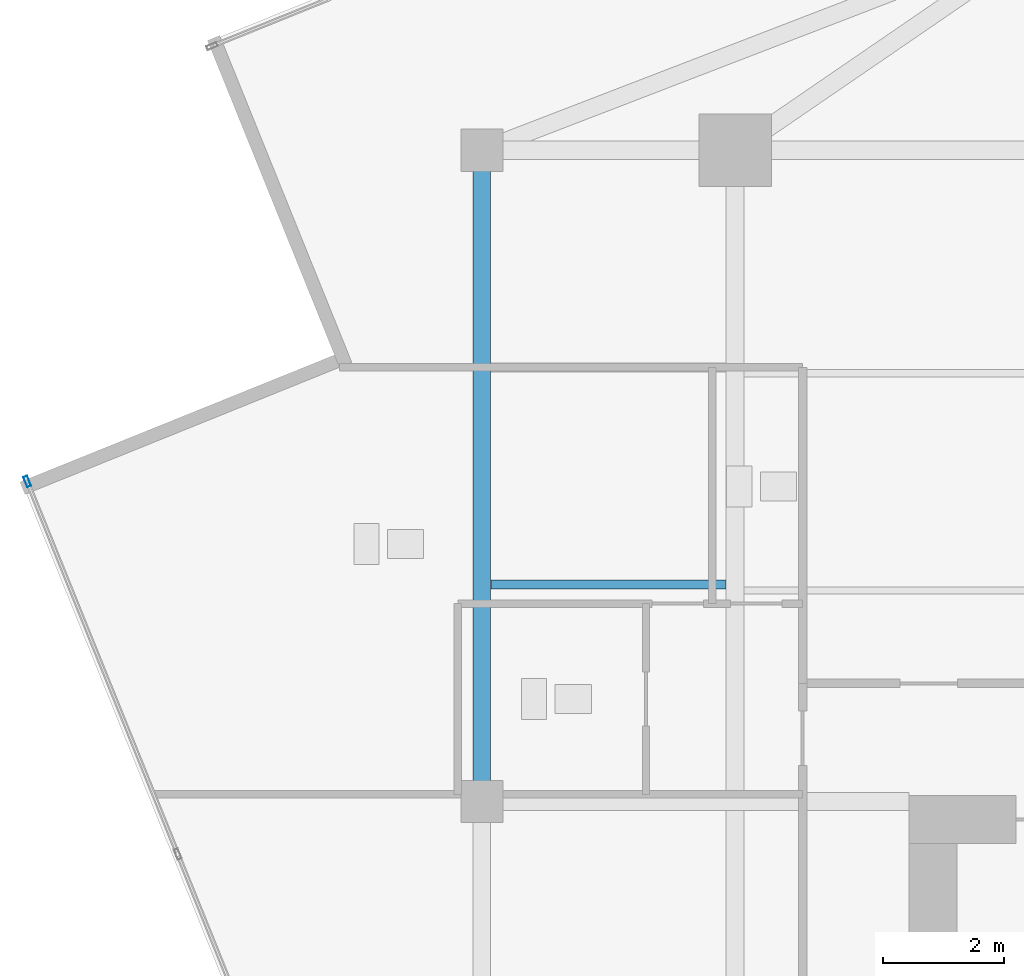
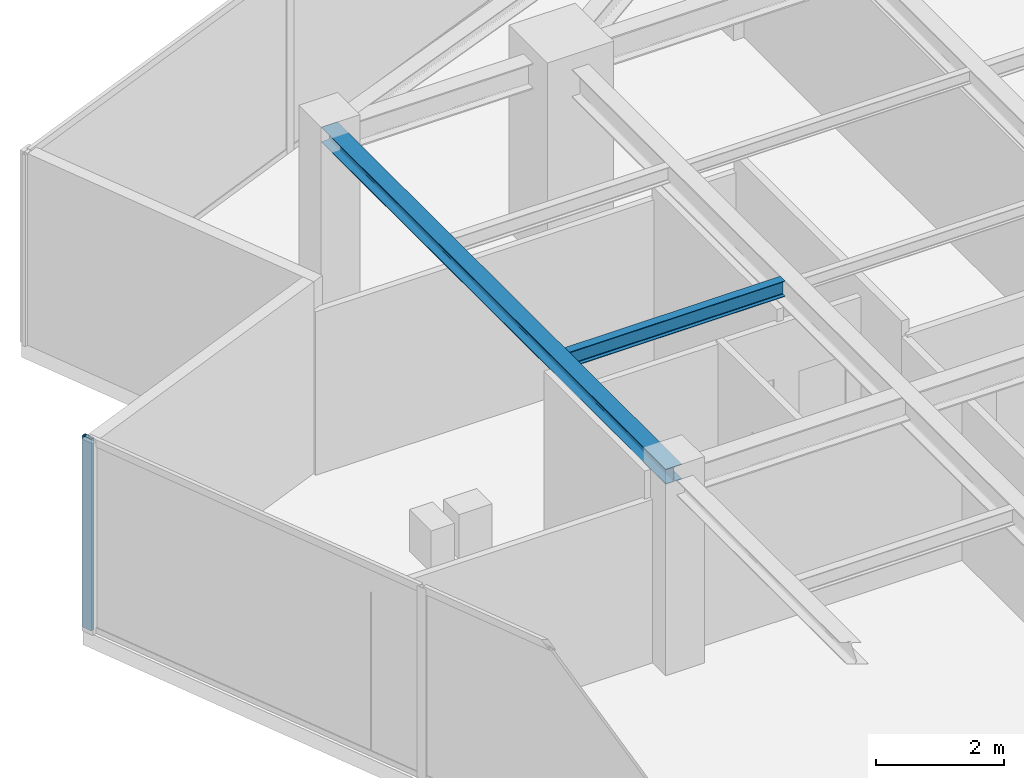
# One storey, part 7 of 21: 2 beams, 1 member, 1 element without a shape of its own.
"""IFC4 building model written with IfcOpenShell, lengths in metres."""

from ifc_helpers import new_model, si_unit, direction, frame, origin, origin_2d, place, context, subcontext, project, spatial, hollow_rectangle, i_section, extrude, source, transform, mapped, material, material_profile, profile_set, type_object, type_shapes, element, aggregate, save


model = new_model("IFC4")

# Units and contexts
model_context = context("Model", 3, precision=1e-05, world=origin(), true_north=direction((0.0, 1.0)))
body_context = subcontext(model_context, "Body", "Model", "MODEL_VIEW")
ifc_project = project(units=[si_unit("LENGTHUNIT", "METRE"), si_unit("AREAUNIT", "SQUARE_METRE"), si_unit("VOLUMEUNIT", "CUBIC_METRE"), si_unit("PLANEANGLEUNIT", "RADIAN"), si_unit("MASSUNIT", "GRAM", prefix="KILO")], contexts=[model_context])

# Site, building, storey
site_placement = place(None, origin())
site = spatial("IfcSite", under=ifc_project, at=site_placement, CompositionType="ELEMENT")
building_placement = place(site_placement, origin())
building = spatial("IfcBuilding", under=site, at=building_placement, Name="Krantzveldt Concourse Tower", CompositionType="ELEMENT")
storey_placement = place(building_placement, frame((0.0, 0.0, 327.699951171875)))
storey = spatial("IfcBuildingStorey", under=building, at=storey_placement, Name="L80", CompositionType="ELEMENT", Elevation=327.699951171875)

# Beams
ifc_material_1 = material(Name="Steel S355JR", Category="steel")
ifc_material_profile_1 = material_profile(ifc_material_1, i_section(OverallWidth=0.2900390625, OverallDepth=0.2900390625, WebThickness=0.008544921875, FlangeThickness=0.013916015625, FilletRadius=0.027099609375, at=origin_2d()), Name="Steel S355JR", Category="steel")
ifc_profile_set_1 = profile_set([ifc_material_profile_1], Name="Steel S355JR - HEA 300")
beam_type_1 = type_object("IfcBeamType", Name="BM-SP-HEA300", PredefinedType="SPANDREL", material=ifc_profile_set_1)
shared_shape_1 = source(origin(), body_context, "Body", "SweptSolid", [
    extrude(i_section(OverallWidth=0.2900390625, OverallDepth=0.2900390625, WebThickness=0.008544921875, FlangeThickness=0.013916015625, FilletRadius=0.027099609375, at=origin_2d()), origin(), (0.0, 0.0, 1.0), 10.800048828125),
])
type_shapes(beam_type_1, [shared_shape_1])
beam_1_placement = place(storey_placement, frame((21.0, 26.699951171875, 3.525146484375), z_axis=(0.0, 1.0, 0.0), x_axis=(-1.0, 0.0, 0.0)))
element("IfcBeam", 1, at=beam_1_placement, inside=storey, type_object=beam_type_1, Name="L80 Tower Girder SP-R02", PredefinedType="SPANDREL", context=body_context, shape_type="MappedRepresentation", body=[
    mapped(shared_shape_1, transform((0.0, 0.0, 0.0), x_axis=(1.0, 0.0, 0.0), y_axis=(0.0, 1.0, 0.0), z_axis=(0.0, 0.0, 1.0), scale=1.0)),
])
ifc_material_profile_2 = material_profile(ifc_material_1, i_section(OverallWidth=0.14990234375, OverallDepth=0.300048828125, WebThickness=0.007080078125, FlangeThickness=0.0107421875, FilletRadius=0.014892578125, at=origin_2d()), Name="Steel S355JR", Category="steel")
ifc_profile_set_2 = profile_set([ifc_material_profile_2], Name="Steel S355JR - IPE 300")
beam_type_2 = type_object("IfcBeamType", Name="BM-J-IPE300", PredefinedType="JOIST", material=ifc_profile_set_2)
shared_shape_2 = source(origin(), body_context, "Body", "SweptSolid", [
    extrude(i_section(OverallWidth=0.14990234375, OverallDepth=0.300048828125, WebThickness=0.007080078125, FlangeThickness=0.0107421875, FilletRadius=0.014892578125, at=origin_2d()), origin(), (0.0, 0.0, 1.0), 3.900146484375),
])
type_shapes(beam_type_2, [shared_shape_2])
beam_2_placement = place(storey_placement, frame((21.14990234375, 30.300048828125, 3.52001953125), z_axis=(1.0, 0.0, 0.0), x_axis=(0.0, 1.0, 0.0)))
element("IfcBeam", 2, at=beam_2_placement, inside=storey, type_object=beam_type_2, Name="L80 Secondary Floor Joist JW-3", PredefinedType="JOIST", context=body_context, shape_type="MappedRepresentation", body=[
    mapped(shared_shape_2, transform((0.0, 0.0, 0.0), x_axis=(1.0, 0.0, 0.0), y_axis=(0.0, 1.0, 0.0), z_axis=(0.0, 0.0, 1.0), scale=1.0)),
])

# Curtain wall, member
ifc_material_2 = material(Name="Anodised aluminium 6063-T6", Category="aluminium")
curtain_wall_type = type_object("IfcCurtainWallType", Name="CW4", PredefinedType="USERDEFINED", material=ifc_material_2)
curtain_wall_placement = place(storey_placement, origin())
curtain_wall = element("IfcCurtainWall", 3, at=curtain_wall_placement, inside=storey, type_object=curtain_wall_type, Name="CW-L80-F04", ObjectType="UNITISED CURTAIN WALL", PredefinedType="USERDEFINED")
ifc_material_profile_3 = material_profile(ifc_material_2, hollow_rectangle(XDim=0.070068359375, YDim=0.179931640625, WallThickness=0.0048828125, at=origin_2d()), Name="Anodised aluminium 6063-T6", Category="aluminium")
ifc_profile_set_3 = profile_set([ifc_material_profile_3], Name="Anodised aluminium 6063-T6 - ALU-MULL 180x70x5")
member_type = type_object("IfcMemberType", Name="CW-MUL-180", PredefinedType="MULLION", material=ifc_profile_set_3)
shared_shape_3 = source(origin(), body_context, "Body", "SweptSolid", [
    extrude(hollow_rectangle(XDim=0.070068359375, YDim=0.179931640625, WallThickness=0.0048828125, at=origin_2d()), origin(), (0.0, 0.0, 1.0), 3.670166015625),
])
type_shapes(member_type, [shared_shape_3])
member_placement = place(storey_placement, frame((13.46044921875, 32.008056640625, 0.0), z_axis=(0.0, 0.0, 1.0), x_axis=(0.927183825969, 0.374606664198, 0.0)))
member = element("IfcMember", 4, at=member_placement, type_object=member_type, Name="CW-Z56 mullion 1", PredefinedType="MULLION", context=body_context, shape_type="MappedRepresentation", body=[
    mapped(shared_shape_3, transform((0.0, 0.0, 0.0), x_axis=(1.0, 0.0, 0.0), y_axis=(0.0, 1.0, 0.0), z_axis=(0.0, 0.0, 1.0), scale=1.0)),
])
aggregate(curtain_wall, [member])

save(model, "model.ifc")
